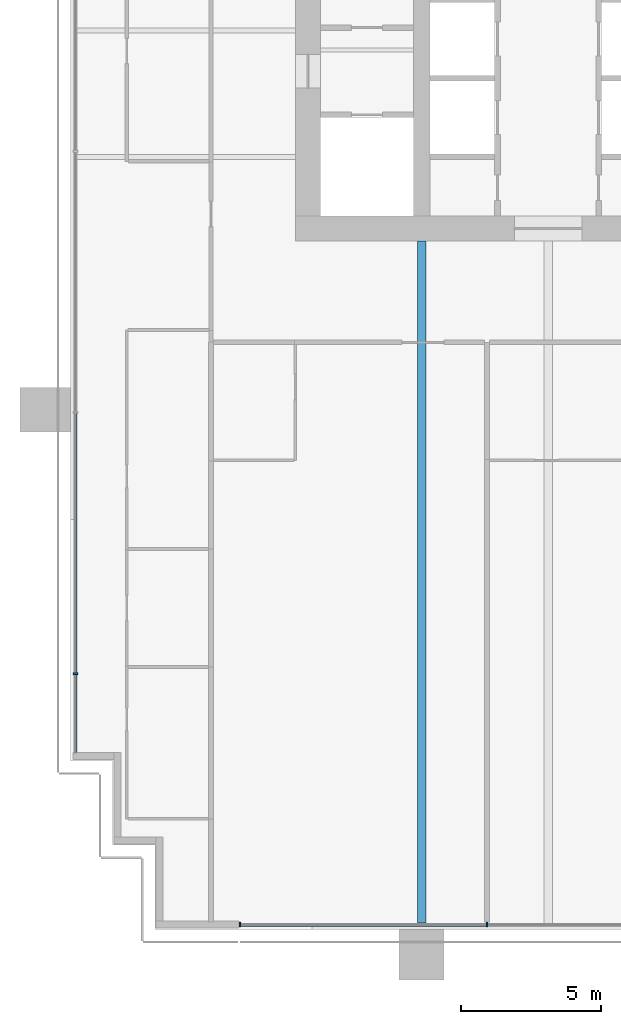
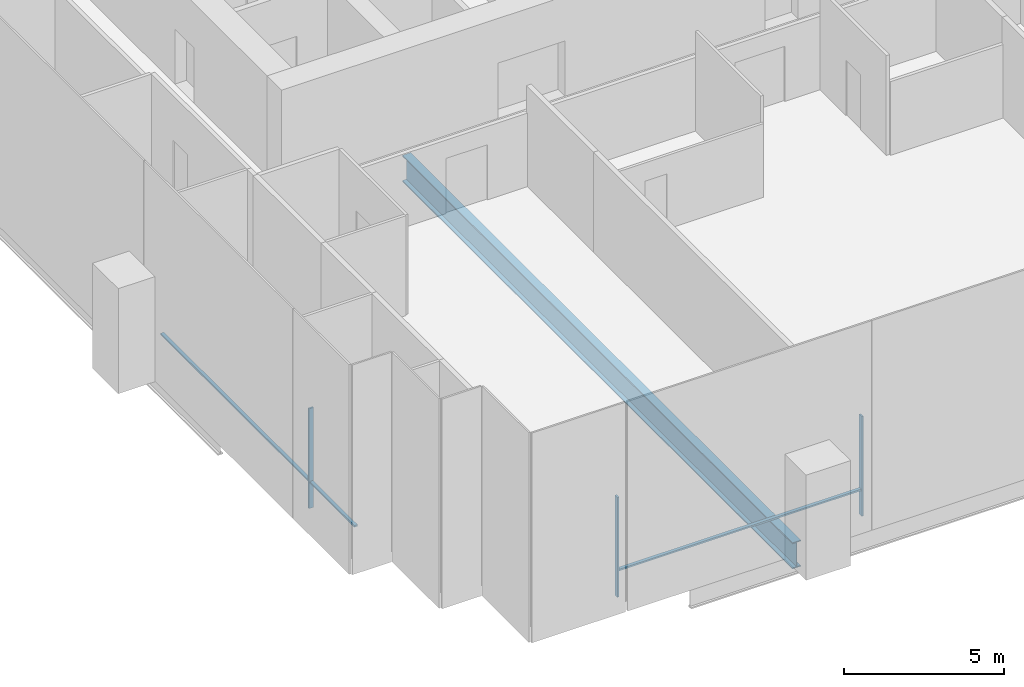
# One storey, part 2 of 19: 6 members, 1 beam, 2 elements without a shape of their own.
"""IFC4 building model written with IfcOpenShell, lengths in metres."""

from ifc_helpers import new_model, si_unit, direction, frame, origin, origin_2d, place, context, subcontext, project, spatial, rectangle, i_section, extrude, material, material_profile, profile_set, type_object, element, aggregate, save


model = new_model("IFC4")

# Units and contexts
model_context = context("Model", 3, precision=1e-05, world=origin(), true_north=direction((0.0, 1.0)))
body_context = subcontext(model_context, "Body", "Model", "MODEL_VIEW")
ifc_project = project(units=[si_unit("LENGTHUNIT", "METRE"), si_unit("AREAUNIT", "SQUARE_METRE"), si_unit("VOLUMEUNIT", "CUBIC_METRE"), si_unit("PLANEANGLEUNIT", "RADIAN"), si_unit("MASSUNIT", "GRAM", prefix="KILO")], contexts=[model_context])

# Site, building, storey
site_placement = place(None, origin())
site = spatial("IfcSite", under=ifc_project, at=site_placement, CompositionType="ELEMENT")
building_placement = place(site_placement, origin())
building = spatial("IfcBuilding", under=site, at=building_placement, Name="Rattan Terrace Tower", CompositionType="ELEMENT")
storey_placement = place(building_placement, frame((0.0, 0.0, 79.699951171875)))
storey = spatial("IfcBuildingStorey", under=building, at=storey_placement, Name="L17", CompositionType="ELEMENT", Elevation=79.699951171875)

# Curtain wall, member
ifc_material_1 = material(Name="Aluminium and glass", Category="aluminium")
curtain_wall_type = type_object("IfcCurtainWallType", Name="Facade Unitised Curtain Wall", PredefinedType="NOTDEFINED", material=ifc_material_1)
curtain_wall_1_placement = place(storey_placement, origin())
curtain_wall_1 = element("IfcCurtainWall", 1, at=curtain_wall_1_placement, inside=storey, type_object=curtain_wall_type, Name="Curtain wall L17-3", PredefinedType="NOTDEFINED")
ifc_material_2 = material(Name="Aluminium", Category="aluminium")
ifc_material_profile_1 = material_profile(ifc_material_2, rectangle(XDim=0.06005859375, YDim=0.159912109375, at=origin_2d()), Name="Aluminium 60x160")
ifc_profile_set_1 = profile_set([ifc_material_profile_1], Name="Aluminium")
member_type_1 = type_object("IfcMemberType", Name="Facade CW Mullion 60x160", PredefinedType="MULLION", material=ifc_profile_set_1)
member_1_placement = place(storey_placement, frame((-25.830078125, -22.89990234375, 0.0), z_axis=(0.0, 0.0, 1.0), x_axis=(0.0, -1.0, 0.0)))
member_1 = element("IfcMember", 2, at=member_1_placement, type_object=member_type_1, Name="Mullion cwl-L17-003.4", PredefinedType="MULLION", context=body_context, shape_type="SweptSolid", body=[
    extrude(rectangle(XDim=0.06005859375, YDim=0.159912109375, at=origin_2d()), origin(), (0.0, 0.0, 1.0), 3.800048828125),
])

# Curtain wall, members
curtain_wall_2_placement = place(storey_placement, origin())
curtain_wall_2 = element("IfcCurtainWall", 3, at=curtain_wall_2_placement, inside=storey, type_object=curtain_wall_type, Name="Curtain wall L17-4", PredefinedType="NOTDEFINED")
member_2_placement = place(storey_placement, frame((-19.969970703125, -31.830078125, 0.0), z_axis=(0.0, 0.0, 1.0), x_axis=(1.0, 0.0, 0.0)))
member_2 = element("IfcMember", 4, at=member_2_placement, type_object=member_type_1, Name="Mullion cwl-L17-004.1", PredefinedType="MULLION", context=body_context, shape_type="SweptSolid", body=[
    extrude(rectangle(XDim=0.06005859375, YDim=0.159912109375, at=origin_2d()), origin(), (0.0, 0.0, 1.0), 3.800048828125),
])
member_3_placement = place(storey_placement, frame((-11.177001953125, -31.830078125, 0.0), z_axis=(0.0, 0.0, 1.0), x_axis=(1.0, 0.0, 0.0)))
member_3 = element("IfcMember", 5, at=member_3_placement, type_object=member_type_1, Name="Mullion cwl-L17-004.2", PredefinedType="MULLION", context=body_context, shape_type="SweptSolid", body=[
    extrude(rectangle(XDim=0.06005859375, YDim=0.159912109375, at=origin_2d()), origin(), (0.0, 0.0, 1.0), 3.800048828125),
])

# Member
ifc_material_3 = material(Name="Aluminium", Category="aluminium")
ifc_material_profile_2 = material_profile(ifc_material_3, rectangle(XDim=0.1201171875, YDim=0.06005859375, at=origin_2d()), Name="Aluminium 120x60")
ifc_profile_set_2 = profile_set([ifc_material_profile_2], Name="Aluminium")
member_type_2 = type_object("IfcMemberType", Name="Facade CW Transom 120x60", PredefinedType="USERDEFINED", material=ifc_profile_set_2)
member_4_placement = place(storey_placement, frame((-25.830078125, -13.6298828125, 1.0), z_axis=(0.0, -1.0, 0.0), x_axis=(1.0, 0.0, 0.0)))
member_4 = element("IfcMember", 6, at=member_4_placement, type_object=member_type_2, Name="Transom cwl-L17-003.3", ObjectType="TRANSOM", PredefinedType="USERDEFINED", context=body_context, shape_type="SweptSolid", body=[
    extrude(rectangle(XDim=0.1201171875, YDim=0.06005859375, at=origin_2d()), origin(), (0.0, 0.0, 1.0), 9.240234375),
])

member_5_placement = place(storey_placement, frame((-25.830078125, -22.929931640625, 1.0), z_axis=(0.0, -1.0, 0.0), x_axis=(1.0, 0.0, 0.0)))
member_5 = element("IfcMember", 7, at=member_5_placement, type_object=member_type_2, Name="Transom cwl-L17-003.4", ObjectType="TRANSOM", PredefinedType="USERDEFINED", context=body_context, shape_type="SweptSolid", body=[
    extrude(rectangle(XDim=0.1201171875, YDim=0.06005859375, at=origin_2d()), origin(), (0.0, 0.0, 1.0), 2.775146484375),
])

aggregate(curtain_wall_1, [member_1, member_4, member_5])

member_6_placement = place(storey_placement, frame((-19.93994140625, -31.830078125, 1.0), z_axis=(1.0, 0.0, 0.0), x_axis=(0.0, 1.0, 0.0)))
member_6 = element("IfcMember", 8, at=member_6_placement, type_object=member_type_2, Name="Transom cwl-L17-004.1", ObjectType="TRANSOM", PredefinedType="USERDEFINED", context=body_context, shape_type="SweptSolid", body=[
    extrude(rectangle(XDim=0.1201171875, YDim=0.06005859375, at=origin_2d()), origin(), (0.0, 0.0, 1.0), 8.73291015625),
])

aggregate(curtain_wall_2, [member_2, member_3, member_6])

# Beam
ifc_material_4 = material(Name="Steel S460", Category="steel")
ifc_material_profile_3 = material_profile(ifc_material_4, i_section(OverallWidth=0.300048828125, OverallDepth=1.0, WebThickness=0.013916015625, FlangeThickness=0.0400390625, at=origin_2d()), Name="PG 1000x300-14-40")
ifc_profile_set_3 = profile_set([ifc_material_profile_3], Name="Steel S460")
beam_type = type_object("IfcBeamType", Name="Frame floor beam PG 1000x300-14-40", PredefinedType="JOIST", material=ifc_profile_set_3)
beam_placement = place(storey_placement, frame((-13.5, -31.820068359375, -0.699951171875), z_axis=(0.0, 1.0, 0.0), x_axis=(-1.0, 0.0, 0.0)))
element("IfcBeam", 9, at=beam_placement, inside=storey, type_object=beam_type, Name="bm-L17-003", PredefinedType="JOIST", context=body_context, shape_type="SweptSolid", body=[
    extrude(i_section(OverallWidth=0.300048828125, OverallDepth=1.0, WebThickness=0.013916015625, FlangeThickness=0.0400390625, at=origin_2d()), origin(), (0.0, 0.0, 1.0), 24.320068359375),
])

save(model, "model.ifc")
